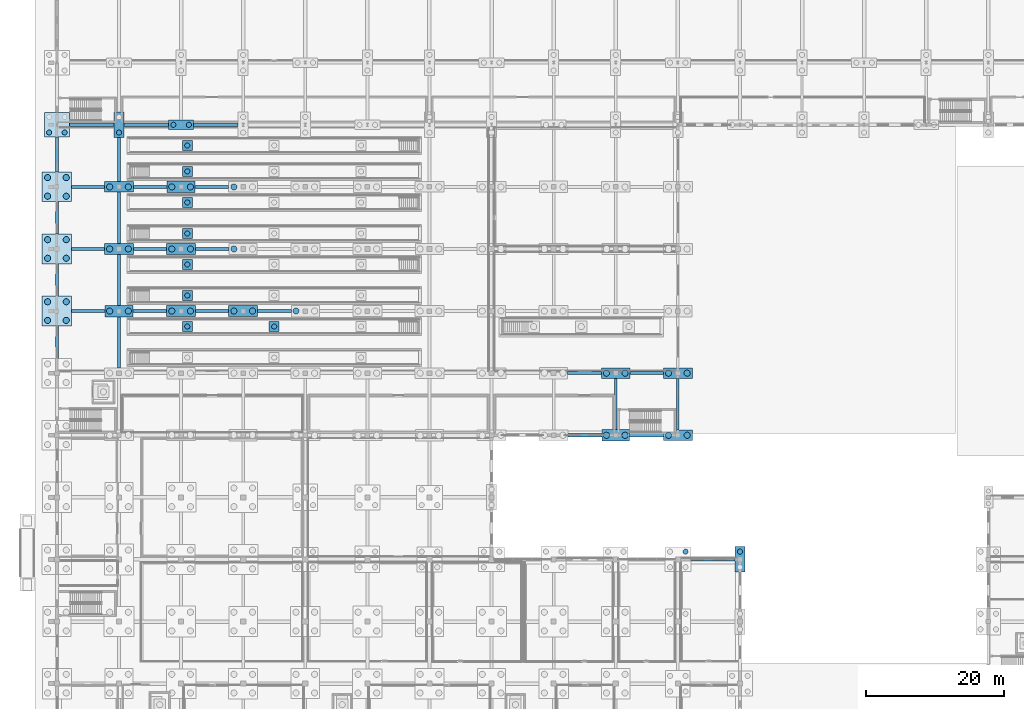
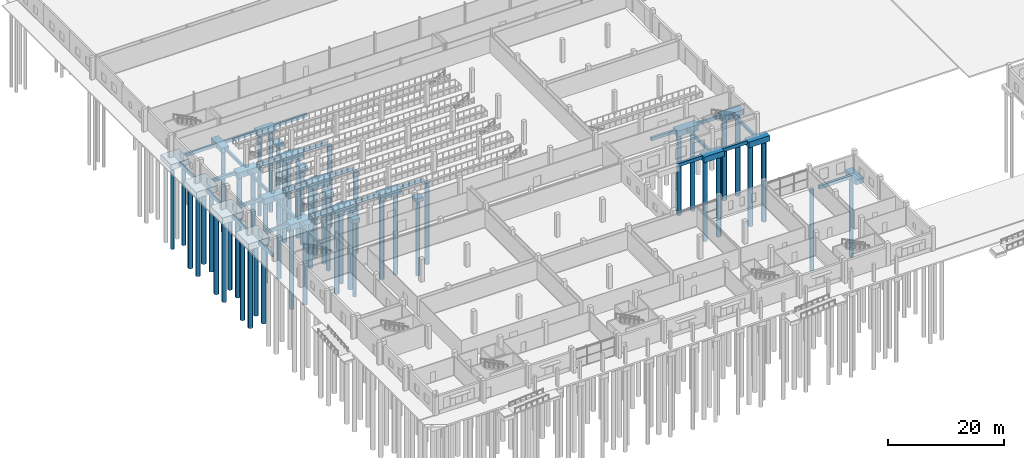
# One storey, part 6 of 112: 54 footings, 52 piles.
"""IFC4 building model written with IfcOpenShell, lengths in metres."""

from ifc_helpers import new_model, si_unit, direction, frame, origin, origin_2d, place, context, subcontext, project, spatial, polyline, rectangle, circle, outline, extrude, material, material_profile, profile_set, type_object, element, save


model = new_model("IFC4")

# Units and contexts
model_context = context("Model", 3, precision=1e-05, world=origin(), true_north=direction((0.0, 1.0)))
body_context = subcontext(model_context, "Body", "Model", "MODEL_VIEW")
ifc_project = project(units=[si_unit("LENGTHUNIT", "METRE"), si_unit("AREAUNIT", "SQUARE_METRE"), si_unit("VOLUMEUNIT", "CUBIC_METRE"), si_unit("PLANEANGLEUNIT", "RADIAN"), si_unit("MASSUNIT", "GRAM", prefix="KILO")], contexts=[model_context])

# Site, building, storey
site_placement = place(None, origin())
site = spatial("IfcSite", under=ifc_project, at=site_placement, CompositionType="ELEMENT")
building_placement = place(site_placement, origin())
building = spatial("IfcBuilding", under=site, at=building_placement, Name="Tharagai Park Tramway Depot", CompositionType="ELEMENT")
storey_placement = place(building_placement, origin())
storey = spatial("IfcBuildingStorey", under=building, at=storey_placement, Name="L00", CompositionType="ELEMENT", Elevation=0.0)

# Piles
ifc_material = material(Name="Concrete M40", Category="concrete")
ifc_material_profile_1 = material_profile(ifc_material, circle(Radius=0.449951171875, at=origin_2d()), Name="PILE D900")
ifc_profile_set_1 = profile_set([ifc_material_profile_1], Name="Concrete M40")
pile_type_1 = type_object("IfcPileType", Name="BP-01", PredefinedType="BORED", material=ifc_profile_set_1)
for number, where, z_axis, x_axis, name in (
    (1, (-1.35009765625, 61.64990234375, -1.550048828125), (0.0, 0.0, -1.0), (1.0, 0.0, 0.0), "Bored Pile BP-01 (0,63) #1"),
    (2, (1.35009765625, 61.64990234375, -1.550048828125), (0.0, 0.0, -1.0), (1.0, 0.0, 0.0), "Bored Pile BP-01 (0,63) #2"),
    (3, (-1.35009765625, 64.35009765625, -1.550048828125), (0.0, 0.0, -1.0), (1.0, 0.0, 0.0), "Bored Pile BP-01 (0,63) #3"),
    (4, (1.35009765625, 64.35009765625, -1.550048828125), (0.0, 0.0, -1.0), (1.0, 0.0, 0.0), "Bored Pile BP-01 (0,63) #4"),
    (5, (-1.35009765625, 70.64990234375, -1.550048828125), (0.0, 0.0, -1.0), (1.0, 0.0, 0.0), "Bored Pile BP-01 (0,72) #1"),
    (6, (1.35009765625, 70.64990234375, -1.550048828125), (0.0, 0.0, -1.0), (1.0, 0.0, 0.0), "Bored Pile BP-01 (0,72) #2"),
    (7, (-1.35009765625, 73.35009765625, -1.550048828125), (0.0, 0.0, -1.0), (1.0, 0.0, 0.0), "Bored Pile BP-01 (0,72) #3"),
    (8, (1.35009765625, 73.35009765625, -1.550048828125), (0.0, 0.0, -1.0), (1.0, 0.0, 0.0), "Bored Pile BP-01 (0,72) #4"),
    (9, (-1.35009765625, 79.64990234375, -1.550048828125), (0.0, 0.0, -1.0), (1.0, 0.0, 0.0), "Bored Pile BP-01 (0,81) #1"),
    (10, (1.35009765625, 79.64990234375, -1.550048828125), (0.0, 0.0, -1.0), (1.0, 0.0, 0.0), "Bored Pile BP-01 (0,81) #2"),
    (11, (-1.35009765625, 82.35009765625, -1.550048828125), (0.0, 0.0, -1.0), (1.0, 0.0, 0.0), "Bored Pile BP-01 (0,81) #3"),
    (12, (1.35009765625, 82.35009765625, -1.550048828125), (0.0, 0.0, -1.0), (1.0, 0.0, 0.0), "Bored Pile BP-01 (0,81) #4"),
):
    element("IfcPile", number, at=place(storey_placement, frame(where, z_axis=z_axis, x_axis=x_axis)), inside=storey, type_object=pile_type_1, Name=name, PredefinedType="BORED", context=body_context, shape_type="SweptSolid", body=[
        extrude(circle(Radius=0.449951171875, at=origin_2d()), origin(), (0.0, 0.0, 1.0), 16.949951171875),
    ])
for number, where, z_axis, x_axis, name in (
    (13, (7.64990234375, 63.0, -1.3798828125), (0.0, 0.0, -1.0), (1.0, 0.0, 0.0), "Bored Pile BP-01 (9,63) #1"),
    (14, (10.35009765625, 63.0, -1.3798828125), (0.0, 0.0, -1.0), (1.0, 0.0, 0.0), "Bored Pile BP-01 (9,63) #2"),
):
    element("IfcPile", number, at=place(storey_placement, frame(where, z_axis=z_axis, x_axis=x_axis)), inside=storey, type_object=pile_type_1, Name=name, PredefinedType="BORED", context=body_context, shape_type="SweptSolid", body=[
        extrude(circle(Radius=0.449951171875, at=origin_2d()), origin(), (0.0, 0.0, 1.0), 17.1201171875),
    ])
for number, where, z_axis, x_axis, name in (
    (15, (7.64990234375, 72.0, -1.39990234375), (0.0, 0.0, -1.0), (1.0, 0.0, 0.0), "Bored Pile BP-01 (9,72) #1"),
    (16, (10.35009765625, 72.0, -1.39990234375), (0.0, 0.0, -1.0), (1.0, 0.0, 0.0), "Bored Pile BP-01 (9,72) #2"),
    (17, (7.64990234375, 81.0, -1.39990234375), (0.0, 0.0, -1.0), (1.0, 0.0, 0.0), "Bored Pile BP-01 (9,81) #1"),
    (18, (10.35009765625, 81.0, -1.39990234375), (0.0, 0.0, -1.0), (1.0, 0.0, 0.0), "Bored Pile BP-01 (9,81) #2"),
    (19, (16.64990234375, 63.0, -1.39990234375), (0.0, 0.0, -1.0), (1.0, 0.0, 0.0), "Bored Pile BP-01 (18,63) #1"),
    (20, (19.35009765625, 63.0, -1.39990234375), (0.0, 0.0, -1.0), (1.0, 0.0, 0.0), "Bored Pile BP-01 (18,63) #2"),
    (21, (16.64990234375, 72.0, -1.39990234375), (0.0, 0.0, -1.0), (1.0, 0.0, 0.0), "Bored Pile BP-01 (18,72) #1"),
    (22, (19.35009765625, 72.0, -1.39990234375), (0.0, 0.0, -1.0), (1.0, 0.0, 0.0), "Bored Pile BP-01 (18,72) #2"),
):
    element("IfcPile", number, at=place(storey_placement, frame(where, z_axis=z_axis, x_axis=x_axis)), inside=storey, type_object=pile_type_1, Name=name, PredefinedType="BORED", context=body_context, shape_type="SweptSolid", body=[
        extrude(circle(Radius=0.449951171875, at=origin_2d()), origin(), (0.0, 0.0, 1.0), 17.10009765625),
    ])
for number, where, z_axis, x_axis, name in (
    (23, (16.64990234375, 81.0, -1.3798828125), (0.0, 0.0, -1.0), (1.0, 0.0, 0.0), "Bored Pile BP-01 (18,81) #1"),
    (24, (19.35009765625, 81.0, -1.3798828125), (0.0, 0.0, -1.0), (1.0, 0.0, 0.0), "Bored Pile BP-01 (18,81) #2"),
):
    element("IfcPile", number, at=place(storey_placement, frame(where, z_axis=z_axis, x_axis=x_axis)), inside=storey, type_object=pile_type_1, Name=name, PredefinedType="BORED", context=body_context, shape_type="SweptSolid", body=[
        extrude(circle(Radius=0.449951171875, at=origin_2d()), origin(), (0.0, 0.0, 1.0), 17.1201171875),
    ])
for number, where, z_axis, x_axis, name in (
    (25, (25.64990234375, 63.0, -1.39990234375), (0.0, 0.0, -1.0), (1.0, 0.0, 0.0), "Bored Pile BP-01 (27,63) #1"),
    (26, (28.35009765625, 63.0, -1.39990234375), (0.0, 0.0, -1.0), (1.0, 0.0, 0.0), "Bored Pile BP-01 (27,63) #2"),
):
    element("IfcPile", number, at=place(storey_placement, frame(where, z_axis=z_axis, x_axis=x_axis)), inside=storey, type_object=pile_type_1, Name=name, PredefinedType="BORED", context=body_context, shape_type="SweptSolid", body=[
        extrude(circle(Radius=0.449951171875, at=origin_2d()), origin(), (0.0, 0.0, 1.0), 17.10009765625),
    ])
pile_1_placement = place(storey_placement, frame((25.64990234375, 72.0, -1.3798828125), z_axis=(0.0, 0.0, -1.0), x_axis=(1.0, 0.0, 0.0)))
element("IfcPile", 27, at=pile_1_placement, inside=storey, type_object=pile_type_1, Name="Bored Pile BP-01 (27,72) #1", PredefinedType="BORED", context=body_context, shape_type="SweptSolid", body=[
    extrude(circle(Radius=0.449951171875, at=origin_2d()), origin(), (0.0, 0.0, 1.0), 17.1201171875),
])
pile_2_placement = place(storey_placement, frame((25.64990234375, 81.0, -1.39990234375), z_axis=(0.0, 0.0, -1.0), x_axis=(1.0, 0.0, 0.0)))
element("IfcPile", 28, at=pile_2_placement, inside=storey, type_object=pile_type_1, Name="Bored Pile BP-01 (27,81) #1", PredefinedType="BORED", context=body_context, shape_type="SweptSolid", body=[
    extrude(circle(Radius=0.449951171875, at=origin_2d()), origin(), (0.0, 0.0, 1.0), 17.10009765625),
])
for number, where, z_axis, x_axis, name in (
    (29, (34.64990234375, 63.0, -1.3798828125), (0.0, 0.0, -1.0), (1.0, 0.0, 0.0), "Bored Pile BP-01 (36,63) #1"),
    (30, (79.64990234375, 45.0, -1.3798828125), (0.0, 0.0, -1.0), (1.0, 0.0, 0.0), "Bored Pile BP-01 (81,45) #1"),
    (31, (82.35009765625, 45.0, -1.3798828125), (0.0, 0.0, -1.0), (1.0, 0.0, 0.0), "Bored Pile BP-01 (81,45) #2"),
):
    element("IfcPile", number, at=place(storey_placement, frame(where, z_axis=z_axis, x_axis=x_axis)), inside=storey, type_object=pile_type_1, Name=name, PredefinedType="BORED", context=body_context, shape_type="SweptSolid", body=[
        extrude(circle(Radius=0.449951171875, at=origin_2d()), origin(), (0.0, 0.0, 1.0), 17.1201171875),
    ])
for number, where, z_axis, x_axis, name in (
    (32, (79.64990234375, 54.0, -1.39990234375), (0.0, 0.0, -1.0), (1.0, 0.0, 0.0), "Bored Pile BP-01 (81,54) #1"),
    (33, (82.35009765625, 54.0, -1.39990234375), (0.0, 0.0, -1.0), (1.0, 0.0, 0.0), "Bored Pile BP-01 (81,54) #2"),
    (34, (88.64990234375, 45.0, -1.39990234375), (0.0, 0.0, -1.0), (1.0, 0.0, 0.0), "Bored Pile BP-01 (90,45) #1"),
    (35, (91.35009765625, 45.0, -1.39990234375), (0.0, 0.0, -1.0), (1.0, 0.0, 0.0), "Bored Pile BP-01 (90,45) #2"),
    (36, (88.64990234375, 54.0, -1.39990234375), (0.0, 0.0, -1.0), (1.0, 0.0, 0.0), "Bored Pile BP-01 (90,54) #1"),
    (37, (91.35009765625, 54.0, -1.39990234375), (0.0, 0.0, -1.0), (1.0, 0.0, 0.0), "Bored Pile BP-01 (90,54) #2"),
):
    element("IfcPile", number, at=place(storey_placement, frame(where, z_axis=z_axis, x_axis=x_axis)), inside=storey, type_object=pile_type_1, Name=name, PredefinedType="BORED", context=body_context, shape_type="SweptSolid", body=[
        extrude(circle(Radius=0.449951171875, at=origin_2d()), origin(), (0.0, 0.0, 1.0), 17.10009765625),
    ])
ifc_material_profile_2 = material_profile(ifc_material, circle(Radius=0.375, at=origin_2d()), Name="PILE D750")
ifc_profile_set_2 = profile_set([ifc_material_profile_2], Name="Concrete M40")
pile_type_2 = type_object("IfcPileType", Name="BP-02", PredefinedType="BORED", material=ifc_profile_set_2)
for number, where, z_axis, x_axis, name in (
    (38, (-1.125, 88.875, -1.35009765625), (0.0, 0.0, -1.0), (1.0, 0.0, 0.0), "Bored Pile BP-02 (0,90) #1"),
    (39, (1.125, 88.875, -1.35009765625), (0.0, 0.0, -1.0), (1.0, 0.0, 0.0), "Bored Pile BP-02 (0,90) #2"),
):
    element("IfcPile", number, at=place(storey_placement, frame(where, z_axis=z_axis, x_axis=x_axis)), inside=storey, type_object=pile_type_2, Name=name, PredefinedType="BORED", context=body_context, shape_type="SweptSolid", body=[
        extrude(circle(Radius=0.375, at=origin_2d()), origin(), (0.0, 0.0, 1.0), 17.14990234375),
    ])
pile_3_placement = place(storey_placement, frame((9.0, 88.875, -1.280029296875), z_axis=(0.0, 0.0, -1.0), x_axis=(1.0, 0.0, 0.0)))
element("IfcPile", 40, at=pile_3_placement, inside=storey, type_object=pile_type_2, Name="Bored Pile BP-02 (9,90) #1", PredefinedType="BORED", context=body_context, shape_type="SweptSolid", body=[
    extrude(circle(Radius=0.375, at=origin_2d()), origin(), (0.0, 0.0, 1.0), 17.219970703125),
])
for number, where, z_axis, x_axis, name in (
    (41, (16.875, 90.0, -1.25), (0.0, 0.0, -1.0), (1.0, 0.0, 0.0), "Bored Pile BP-02 (18,90) #1"),
    (42, (19.125, 90.0, -1.25), (0.0, 0.0, -1.0), (1.0, 0.0, 0.0), "Bored Pile BP-02 (18,90) #2"),
):
    element("IfcPile", number, at=place(storey_placement, frame(where, z_axis=z_axis, x_axis=x_axis)), inside=storey, type_object=pile_type_2, Name=name, PredefinedType="BORED", context=body_context, shape_type="SweptSolid", body=[
        extrude(circle(Radius=0.375, at=origin_2d()), origin(), (0.0, 0.0, 1.0), 17.25),
    ])
pile_4_placement = place(storey_placement, frame((91.125, 28.125, -1.39990234375), z_axis=(0.0, 0.0, -1.0), x_axis=(1.0, 0.0, 0.0)))
element("IfcPile", 43, at=pile_4_placement, inside=storey, type_object=pile_type_2, Name="Bored Pile BP-02 (90,27) #4", PredefinedType="BORED", context=body_context, shape_type="SweptSolid", body=[
    extrude(circle(Radius=0.375, at=origin_2d()), origin(), (0.0, 0.0, 1.0), 17.10009765625),
])
pile_5_placement = place(storey_placement, frame((99.0, 28.125, -1.280029296875), z_axis=(0.0, 0.0, -1.0), x_axis=(1.0, 0.0, 0.0)))
element("IfcPile", 44, at=pile_5_placement, inside=storey, type_object=pile_type_2, Name="Bored Pile BP-02 (99,27) #2", PredefinedType="BORED", context=body_context, shape_type="SweptSolid", body=[
    extrude(circle(Radius=0.375, at=origin_2d()), origin(), (0.0, 0.0, 1.0), 17.219970703125),
])
for number, where, z_axis, x_axis, name in (
    (45, (18.89990234375, 60.75, -2.60009765625), (0.0, 0.0, -1.0), (1.0, 0.0, 0.0), "Inspection Pit Track 2 Bored Pile 1"),
    (46, (31.5, 60.75, -2.60009765625), (0.0, 0.0, -1.0), (1.0, 0.0, 0.0), "Inspection Pit Track 2 Bored Pile 2"),
    (47, (18.89990234375, 65.25, -2.60009765625), (0.0, 0.0, -1.0), (1.0, 0.0, 0.0), "Inspection Pit Track 3 Bored Pile 1"),
    (48, (18.89990234375, 69.75, -2.60009765625), (0.0, 0.0, -1.0), (1.0, 0.0, 0.0), "Inspection Pit Track 4 Bored Pile 1"),
    (49, (18.89990234375, 74.25, -2.60009765625), (0.0, 0.0, -1.0), (1.0, 0.0, 0.0), "Inspection Pit Track 5 Bored Pile 1"),
    (50, (18.89990234375, 78.75, -2.60009765625), (0.0, 0.0, -1.0), (1.0, 0.0, 0.0), "Inspection Pit Track 6 Bored Pile 1"),
    (51, (18.89990234375, 83.25, -2.60009765625), (0.0, 0.0, -1.0), (1.0, 0.0, 0.0), "Inspection Pit Track 7 Bored Pile 1"),
    (52, (18.89990234375, 87.0, -2.60009765625), (0.0, 0.0, -1.0), (1.0, 0.0, 0.0), "Inspection Pit Track 8 Bored Pile 1"),
):
    element("IfcPile", number, at=place(storey_placement, frame(where, z_axis=z_axis, x_axis=x_axis)), inside=storey, type_object=pile_type_2, Name=name, PredefinedType="BORED", context=body_context, shape_type="SweptSolid", body=[
        extrude(circle(Radius=0.375, at=origin_2d()), origin(), (0.0, 0.0, 1.0), 15.89990234375),
    ])

# Footings
footing_type_1 = type_object("IfcFootingType", Name="GB-01", PredefinedType="FOOTING_BEAM", material=ifc_material)
footing_1_placement = place(storey_placement, frame((0.0, 0.0, -0.949951171875)))
element("IfcFooting", 53, at=footing_1_placement, inside=storey, type_object=footing_type_1, Name="Ground Tie Beam GB-01", PredefinedType="FOOTING_BEAM", context=body_context, shape_type="SweptSolid", body=[
    extrude(outline(polyline([(74.02490234375, 53.77490234375), (78.89990234375, 53.77490234375), (78.89990234375, 54.22509765625), (74.02490234375, 54.22509765625), (74.02490234375, 53.77490234375)])), origin(), (0.0, 0.0, 1.0), 0.64990234375),
])
footing_2_placement = place(storey_placement, frame((0.0, 0.0, -0.949951171875)))
element("IfcFooting", 54, at=footing_2_placement, inside=storey, type_object=footing_type_1, Name="Ground Tie Beam GB-01", PredefinedType="FOOTING_BEAM", context=body_context, shape_type="SweptSolid", body=[
    extrude(outline(polyline([(83.10009765625, 53.77490234375), (87.89990234375, 53.77490234375), (87.89990234375, 54.22509765625), (83.10009765625, 54.22509765625), (83.10009765625, 53.77490234375)])), origin(), (0.0, 0.0, 1.0), 0.64990234375),
])
footing_3_placement = place(storey_placement, frame((0.0, 0.0, -0.949951171875)))
element("IfcFooting", 55, at=footing_3_placement, inside=storey, type_object=footing_type_1, Name="Ground Tie Beam GB-01", PredefinedType="FOOTING_BEAM", context=body_context, shape_type="SweptSolid", body=[
    extrude(outline(polyline([(2.14990234375, 62.77490234375), (6.97509765625, 62.77490234375), (6.97509765625, 63.22509765625), (2.14990234375, 63.22509765625), (2.14990234375, 62.77490234375)])), origin(), (0.0, 0.0, 1.0), 0.64990234375),
])
footing_4_placement = place(storey_placement, frame((0.0, 0.0, -0.949951171875)))
element("IfcFooting", 56, at=footing_4_placement, inside=storey, type_object=footing_type_1, Name="Ground Tie Beam GB-01", PredefinedType="FOOTING_BEAM", context=body_context, shape_type="SweptSolid", body=[
    extrude(outline(polyline([(11.02490234375, 62.77490234375), (15.89990234375, 62.77490234375), (15.89990234375, 63.22509765625), (11.02490234375, 63.22509765625), (11.02490234375, 62.77490234375)])), origin(), (0.0, 0.0, 1.0), 0.64990234375),
])
footing_5_placement = place(storey_placement, frame((0.0, 0.0, -0.949951171875)))
element("IfcFooting", 57, at=footing_5_placement, inside=storey, type_object=footing_type_1, Name="Ground Tie Beam GB-01", PredefinedType="FOOTING_BEAM", context=body_context, shape_type="SweptSolid", body=[
    extrude(outline(polyline([(20.10009765625, 62.77490234375), (24.89990234375, 62.77490234375), (24.89990234375, 63.22509765625), (20.10009765625, 63.22509765625), (20.10009765625, 62.77490234375)])), origin(), (0.0, 0.0, 1.0), 0.64990234375),
])
footing_6_placement = place(storey_placement, frame((0.0, 0.0, -0.949951171875)))
element("IfcFooting", 58, at=footing_6_placement, inside=storey, type_object=footing_type_1, Name="Ground Tie Beam GB-01", PredefinedType="FOOTING_BEAM", context=body_context, shape_type="SweptSolid", body=[
    extrude(outline(polyline([(29.10009765625, 62.77490234375), (33.97509765625, 62.77490234375), (33.97509765625, 63.22509765625), (29.10009765625, 63.22509765625), (29.10009765625, 62.77490234375)])), origin(), (0.0, 0.0, 1.0), 0.64990234375),
])
footing_7_placement = place(storey_placement, frame((0.0, 0.0, -0.949951171875)))
element("IfcFooting", 59, at=footing_7_placement, inside=storey, type_object=footing_type_1, Name="Ground Tie Beam GB-01", PredefinedType="FOOTING_BEAM", context=body_context, shape_type="SweptSolid", body=[
    extrude(outline(polyline([(2.14990234375, 71.77490234375), (6.89990234375, 71.77490234375), (6.89990234375, 72.22509765625), (2.14990234375, 72.22509765625), (2.14990234375, 71.77490234375)])), origin(), (0.0, 0.0, 1.0), 0.64990234375),
])
footing_8_placement = place(storey_placement, frame((0.0, 0.0, -0.949951171875)))
element("IfcFooting", 60, at=footing_8_placement, inside=storey, type_object=footing_type_1, Name="Ground Tie Beam GB-01", PredefinedType="FOOTING_BEAM", context=body_context, shape_type="SweptSolid", body=[
    extrude(outline(polyline([(11.10009765625, 71.77490234375), (15.89990234375, 71.77490234375), (15.89990234375, 72.22509765625), (11.10009765625, 72.22509765625), (11.10009765625, 71.77490234375)])), origin(), (0.0, 0.0, 1.0), 0.64990234375),
])
footing_9_placement = place(storey_placement, frame((0.0, 0.0, -0.949951171875)))
element("IfcFooting", 61, at=footing_9_placement, inside=storey, type_object=footing_type_1, Name="Ground Tie Beam GB-01", PredefinedType="FOOTING_BEAM", context=body_context, shape_type="SweptSolid", body=[
    extrude(outline(polyline([(20.10009765625, 71.77490234375), (24.97509765625, 71.77490234375), (24.97509765625, 72.22509765625), (20.10009765625, 72.22509765625), (20.10009765625, 71.77490234375)])), origin(), (0.0, 0.0, 1.0), 0.64990234375),
])
footing_10_placement = place(storey_placement, frame((0.0, 0.0, -0.949951171875)))
element("IfcFooting", 62, at=footing_10_placement, inside=storey, type_object=footing_type_1, Name="Ground Tie Beam GB-01", PredefinedType="FOOTING_BEAM", context=body_context, shape_type="SweptSolid", body=[
    extrude(outline(polyline([(2.14990234375, 80.77490234375), (6.89990234375, 80.77490234375), (6.89990234375, 81.22509765625), (2.14990234375, 81.22509765625), (2.14990234375, 80.77490234375)])), origin(), (0.0, 0.0, 1.0), 0.64990234375),
])
footing_11_placement = place(storey_placement, frame((0.0, 0.0, -0.949951171875)))
element("IfcFooting", 63, at=footing_11_placement, inside=storey, type_object=footing_type_1, Name="Ground Tie Beam GB-01", PredefinedType="FOOTING_BEAM", context=body_context, shape_type="SweptSolid", body=[
    extrude(outline(polyline([(11.10009765625, 80.77490234375), (15.97509765625, 80.77490234375), (15.97509765625, 81.22509765625), (11.10009765625, 81.22509765625), (11.10009765625, 80.77490234375)])), origin(), (0.0, 0.0, 1.0), 0.64990234375),
])
footing_12_placement = place(storey_placement, frame((0.0, 0.0, -0.949951171875)))
element("IfcFooting", 64, at=footing_12_placement, inside=storey, type_object=footing_type_1, Name="Ground Tie Beam GB-01", PredefinedType="FOOTING_BEAM", context=body_context, shape_type="SweptSolid", body=[
    extrude(outline(polyline([(20.02490234375, 80.77490234375), (24.89990234375, 80.77490234375), (24.89990234375, 81.22509765625), (20.02490234375, 81.22509765625), (20.02490234375, 80.77490234375)])), origin(), (0.0, 0.0, 1.0), 0.64990234375),
])
footing_13_placement = place(storey_placement, frame((0.0, 0.0, -0.949951171875)))
element("IfcFooting", 65, at=footing_13_placement, inside=storey, type_object=footing_type_1, Name="Ground Tie Beam GB-01", PredefinedType="FOOTING_BEAM", context=body_context, shape_type="SweptSolid", body=[
    extrude(outline(polyline([(1.800048828125, 89.77490234375), (8.27490234375, 89.77490234375), (8.27490234375, 90.22509765625), (1.800048828125, 90.22509765625), (1.800048828125, 89.77490234375)])), origin(), (0.0, 0.0, 1.0), 0.64990234375),
])
footing_14_placement = place(storey_placement, frame((0.0, 0.0, -0.949951171875)))
element("IfcFooting", 66, at=footing_14_placement, inside=storey, type_object=footing_type_1, Name="Ground Tie Beam GB-01", PredefinedType="FOOTING_BEAM", context=body_context, shape_type="SweptSolid", body=[
    extrude(outline(polyline([(9.72509765625, 89.77490234375), (16.199951171875, 89.77490234375), (16.199951171875, 90.22509765625), (9.72509765625, 90.22509765625), (9.72509765625, 89.77490234375)])), origin(), (0.0, 0.0, 1.0), 0.64990234375),
])
footing_15_placement = place(storey_placement, frame((0.0, 0.0, -0.949951171875)))
element("IfcFooting", 67, at=footing_15_placement, inside=storey, type_object=footing_type_1, Name="Ground Tie Beam GB-01", PredefinedType="FOOTING_BEAM", context=body_context, shape_type="SweptSolid", body=[
    extrude(outline(polyline([(19.800048828125, 89.77490234375), (26.27490234375, 89.77490234375), (26.27490234375, 90.22509765625), (19.800048828125, 90.22509765625), (19.800048828125, 89.77490234375)])), origin(), (0.0, 0.0, 1.0), 0.64990234375),
])
footing_type_2 = type_object("IfcFootingType", Name="GB-02", PredefinedType="FOOTING_BEAM", material=ifc_material)
footing_16_placement = place(storey_placement, frame((0.0, 0.0, -1.0)))
element("IfcFooting", 68, at=footing_16_placement, inside=storey, type_object=footing_type_2, Name="Ground Tie Beam GB-02", PredefinedType="FOOTING_BEAM", context=body_context, shape_type="SweptSolid", body=[
    extrude(outline(polyline([(91.875, 26.75), (98.27490234375, 26.75), (98.27490234375, 27.25), (91.875, 27.25), (91.875, 26.75)])), origin(), (0.0, 0.0, 1.0), 0.699951171875),
])
footing_17_placement = place(storey_placement, frame((0.0, 0.0, -1.0)))
element("IfcFooting", 69, at=footing_17_placement, inside=storey, type_object=footing_type_2, Name="Ground Tie Beam GB-02", PredefinedType="FOOTING_BEAM", context=body_context, shape_type="SweptSolid", body=[
    extrude(outline(polyline([(74.10009765625, 44.75), (78.97509765625, 44.75), (78.97509765625, 45.25), (74.10009765625, 45.25), (74.10009765625, 44.75)])), origin(), (0.0, 0.0, 1.0), 0.699951171875),
])
footing_18_placement = place(storey_placement, frame((0.0, 0.0, -1.0)))
element("IfcFooting", 70, at=footing_18_placement, inside=storey, type_object=footing_type_2, Name="Ground Tie Beam GB-02", PredefinedType="FOOTING_BEAM", context=body_context, shape_type="SweptSolid", body=[
    extrude(outline(polyline([(83.02490234375, 44.75), (87.89990234375, 44.75), (87.89990234375, 45.25), (83.02490234375, 45.25), (83.02490234375, 44.75)])), origin(), (0.0, 0.0, 1.0), 0.699951171875),
])
footing_type_3 = type_object("IfcFootingType", Name="GB-04", PredefinedType="FOOTING_BEAM", material=ifc_material)
footing_19_placement = place(storey_placement, frame((0.0, 0.0, -0.89990234375)))
element("IfcFooting", 71, at=footing_19_placement, inside=storey, type_object=footing_type_3, Name="Ground Tie Beam GB-04", PredefinedType="FOOTING_BEAM", context=body_context, shape_type="SweptSolid", body=[
    extrude(outline(polyline([(-0.199951171875, 56.14990234375), (0.199951171875, 56.14990234375), (0.199951171875, 60.85009765625), (-0.199951171875, 60.85009765625), (-0.199951171875, 56.14990234375)])), origin(), (0.0, 0.0, 1.0), 0.599853515625),
])
footing_20_placement = place(storey_placement, frame((0.0, 0.0, -0.89990234375)))
element("IfcFooting", 72, at=footing_20_placement, inside=storey, type_object=footing_type_3, Name="Ground Tie Beam GB-04", PredefinedType="FOOTING_BEAM", context=body_context, shape_type="SweptSolid", body=[
    extrude(outline(polyline([(-0.199951171875, 65.14990234375), (0.199951171875, 65.14990234375), (0.199951171875, 69.85009765625), (-0.199951171875, 69.85009765625), (-0.199951171875, 65.14990234375)])), origin(), (0.0, 0.0, 1.0), 0.599853515625),
])
footing_21_placement = place(storey_placement, frame((0.0, 0.0, -0.89990234375)))
element("IfcFooting", 73, at=footing_21_placement, inside=storey, type_object=footing_type_3, Name="Ground Tie Beam GB-04", PredefinedType="FOOTING_BEAM", context=body_context, shape_type="SweptSolid", body=[
    extrude(outline(polyline([(-0.199951171875, 74.14990234375), (0.199951171875, 74.14990234375), (0.199951171875, 78.85009765625), (-0.199951171875, 78.85009765625), (-0.199951171875, 74.14990234375)])), origin(), (0.0, 0.0, 1.0), 0.599853515625),
])
footing_22_placement = place(storey_placement, frame((0.0, 0.0, -0.89990234375)))
element("IfcFooting", 74, at=footing_22_placement, inside=storey, type_object=footing_type_3, Name="Ground Tie Beam GB-04", PredefinedType="FOOTING_BEAM", context=body_context, shape_type="SweptSolid", body=[
    extrude(outline(polyline([(-0.199951171875, 83.14990234375), (0.199951171875, 83.14990234375), (0.199951171875, 88.199951171875), (-0.199951171875, 88.199951171875), (-0.199951171875, 83.14990234375)])), origin(), (0.0, 0.0, 1.0), 0.599853515625),
])
footing_23_placement = place(storey_placement, frame((0.0, 0.0, -0.89990234375)))
element("IfcFooting", 75, at=footing_23_placement, inside=storey, type_object=footing_type_3, Name="Ground Tie Beam GB-04", PredefinedType="FOOTING_BEAM", context=body_context, shape_type="SweptSolid", body=[
    extrude(outline(polyline([(8.800048828125, 54.77490234375), (9.199951171875, 54.77490234375), (9.199951171875, 62.175048828125), (8.800048828125, 62.175048828125), (8.800048828125, 54.77490234375)])), origin(), (0.0, 0.0, 1.0), 0.599853515625),
])
footing_24_placement = place(storey_placement, frame((0.0, 0.0, -0.89990234375)))
element("IfcFooting", 76, at=footing_24_placement, inside=storey, type_object=footing_type_3, Name="Ground Tie Beam GB-04", PredefinedType="FOOTING_BEAM", context=body_context, shape_type="SweptSolid", body=[
    extrude(outline(polyline([(8.800048828125, 63.824951171875), (9.199951171875, 63.824951171875), (9.199951171875, 71.22509765625), (8.800048828125, 71.22509765625), (8.800048828125, 63.824951171875)])), origin(), (0.0, 0.0, 1.0), 0.599853515625),
])
footing_25_placement = place(storey_placement, frame((0.0, 0.0, -0.89990234375)))
element("IfcFooting", 77, at=footing_25_placement, inside=storey, type_object=footing_type_3, Name="Ground Tie Beam GB-04", PredefinedType="FOOTING_BEAM", context=body_context, shape_type="SweptSolid", body=[
    extrude(outline(polyline([(8.800048828125, 72.77490234375), (9.199951171875, 72.77490234375), (9.199951171875, 80.22509765625), (8.800048828125, 80.22509765625), (8.800048828125, 72.77490234375)])), origin(), (0.0, 0.0, 1.0), 0.599853515625),
])
footing_26_placement = place(storey_placement, frame((0.0, 0.0, -0.89990234375)))
element("IfcFooting", 78, at=footing_26_placement, inside=storey, type_object=footing_type_3, Name="Ground Tie Beam GB-04", PredefinedType="FOOTING_BEAM", context=body_context, shape_type="SweptSolid", body=[
    extrude(outline(polyline([(8.800048828125, 81.77490234375), (9.199951171875, 81.77490234375), (9.199951171875, 88.14990234375), (8.800048828125, 88.14990234375), (8.800048828125, 81.77490234375)])), origin(), (0.0, 0.0, 1.0), 0.599853515625),
])
footing_27_placement = place(storey_placement, frame((0.0, 0.0, -0.89990234375)))
element("IfcFooting", 79, at=footing_27_placement, inside=storey, type_object=footing_type_3, Name="Ground Tie Beam GB-04", PredefinedType="FOOTING_BEAM", context=body_context, shape_type="SweptSolid", body=[
    extrude(outline(polyline([(80.800048828125, 45.824951171875), (81.199951171875, 45.824951171875), (81.199951171875, 53.22509765625), (80.800048828125, 53.22509765625), (80.800048828125, 45.824951171875)])), origin(), (0.0, 0.0, 1.0), 0.599853515625),
])
footing_28_placement = place(storey_placement, frame((0.0, 0.0, -0.89990234375)))
element("IfcFooting", 80, at=footing_28_placement, inside=storey, type_object=footing_type_3, Name="Ground Tie Beam GB-04", PredefinedType="FOOTING_BEAM", context=body_context, shape_type="SweptSolid", body=[
    extrude(outline(polyline([(89.800048828125, 45.77490234375), (90.199951171875, 45.77490234375), (90.199951171875, 53.22509765625), (89.800048828125, 53.22509765625), (89.800048828125, 45.77490234375)])), origin(), (0.0, 0.0, 1.0), 0.599853515625),
])
footing_type_4 = type_object("IfcFootingType", Name="PC-03", PredefinedType="PILE_CAP", material=ifc_material)
footing_29_placement = place(storey_placement, frame((0.0, 90.0, -1.449951171875), z_axis=(0.0, 0.0, 1.0), x_axis=(1.0, 0.0, 0.0)))
element("IfcFooting", 81, at=footing_29_placement, inside=storey, type_object=footing_type_4, Name="Pile Cap PC-03 (0,90)", PredefinedType="PILE_CAP", context=body_context, shape_type="SweptSolid", body=[
    extrude(rectangle(XDim=3.60009765625, YDim=3.60009765625, at=origin_2d()), origin(), (0.0, 0.0, 1.0), 1.14990234375),
])
footing_type_5 = type_object("IfcFootingType", Name="PC-05", PredefinedType="PILE_CAP", material=ifc_material)
for number, where, z_axis, x_axis, name in (
    (82, (0.0, 63.0, -1.650146484375), (0.0, 0.0, 1.0), (1.0, 0.0, 0.0), "Pile Cap PC-05 (0,63)"),
    (83, (0.0, 72.0, -1.650146484375), (0.0, 0.0, 1.0), (1.0, 0.0, 0.0), "Pile Cap PC-05 (0,72)"),
    (84, (0.0, 81.0, -1.650146484375), (0.0, 0.0, 1.0), (1.0, 0.0, 0.0), "Pile Cap PC-05 (0,81)"),
):
    element("IfcFooting", number, at=place(storey_placement, frame(where, z_axis=z_axis, x_axis=x_axis)), inside=storey, type_object=footing_type_5, Name=name, PredefinedType="PILE_CAP", context=body_context, shape_type="SweptSolid", body=[
        extrude(rectangle(XDim=4.300048828125, YDim=4.300048828125, at=origin_2d()), origin(), (0.0, 0.0, 1.0), 1.35009765625),
    ])
footing_type_6 = type_object("IfcFootingType", Name="PC-10", PredefinedType="PILE_CAP", material=ifc_material)
for number, where, z_axis, x_axis, name in (
    (85, (18.89990234375, 60.75, -2.699951171875), (0.0, 0.0, 1.0), (1.0, 0.0, 0.0), "Inspection Pit Track 2 Pile Cap 1"),
    (86, (31.5, 60.75, -2.699951171875), (0.0, 0.0, 1.0), (1.0, 0.0, 0.0), "Inspection Pit Track 2 Pile Cap 2"),
    (87, (18.89990234375, 65.25, -2.699951171875), (0.0, 0.0, 1.0), (1.0, 0.0, 0.0), "Inspection Pit Track 3 Pile Cap 1"),
    (88, (18.89990234375, 69.75, -2.699951171875), (0.0, 0.0, 1.0), (1.0, 0.0, 0.0), "Inspection Pit Track 4 Pile Cap 1"),
    (89, (18.89990234375, 74.25, -2.699951171875), (0.0, 0.0, 1.0), (1.0, 0.0, 0.0), "Inspection Pit Track 5 Pile Cap 1"),
    (90, (18.89990234375, 78.75, -2.699951171875), (0.0, 0.0, 1.0), (1.0, 0.0, 0.0), "Inspection Pit Track 6 Pile Cap 1"),
    (91, (18.89990234375, 83.25, -2.699951171875), (0.0, 0.0, 1.0), (1.0, 0.0, 0.0), "Inspection Pit Track 7 Pile Cap 1"),
    (92, (18.89990234375, 87.0, -2.699951171875), (0.0, 0.0, 1.0), (1.0, 0.0, 0.0), "Inspection Pit Track 8 Pile Cap 1"),
):
    element("IfcFooting", number, at=place(storey_placement, frame(where, z_axis=z_axis, x_axis=x_axis)), inside=storey, type_object=footing_type_6, Name=name, PredefinedType="PILE_CAP", context=body_context, shape_type="SweptSolid", body=[
        extrude(rectangle(XDim=1.449951171875, YDim=1.449951171875, at=origin_2d()), origin(), (0.0, 0.0, 1.0), 0.85009765625),
    ])
footing_type_7 = type_object("IfcFootingType", Name="PC-11", PredefinedType="PILE_CAP", material=ifc_material)
footing_30_placement = place(storey_placement, frame((18.0, 90.0, -1.35009765625), z_axis=(0.0, 0.0, 1.0), x_axis=(1.0, 0.0, 0.0)))
element("IfcFooting", 93, at=footing_30_placement, inside=storey, type_object=footing_type_7, Name="Pile Cap PC-11 (18,90)", PredefinedType="PILE_CAP", context=body_context, shape_type="SweptSolid", body=[
    extrude(rectangle(XDim=3.60009765625, YDim=1.39990234375, at=origin_2d()), origin(), (0.0, 0.0, 1.0), 1.050048828125),
])
footing_type_8 = type_object("IfcFootingType", Name="PC-13", PredefinedType="PILE_CAP", material=ifc_material)
for number, where, z_axis, x_axis, name in (
    (94, (9.0, 63.0, -1.47998046875), (0.0, 0.0, 1.0), (1.0, 0.0, 0.0), "Pile Cap PC-13 (9,63)"),
    (95, (18.0, 81.0, -1.47998046875), (0.0, 0.0, 1.0), (1.0, 0.0, 0.0), "Pile Cap PC-13 (18,81)"),
    (96, (81.0, 45.0, -1.47998046875), (0.0, 0.0, 1.0), (1.0, 0.0, 0.0), "Pile Cap PC-13 (81,45)"),
):
    element("IfcFooting", number, at=place(storey_placement, frame(where, z_axis=z_axis, x_axis=x_axis)), inside=storey, type_object=footing_type_8, Name=name, PredefinedType="PILE_CAP", context=body_context, shape_type="SweptSolid", body=[
        extrude(rectangle(XDim=4.050048828125, YDim=1.64990234375, at=origin_2d()), origin(), (0.0, 0.0, 1.0), 1.179931640625),
    ])
footing_type_9 = type_object("IfcFootingType", Name="PC-14", PredefinedType="PILE_CAP", material=ifc_material)
for number, where, z_axis, x_axis, name in (
    (97, (9.0, 90.0, -1.380126953125), (0.0, 0.0, 1.0), (1.0, 0.0, 0.0), "Pile Cap PC-14 (9,90)"),
    (98, (99.0, 27.0, -1.380126953125), (0.0, 0.0, 1.0), (1.0, 0.0, 0.0), "Pile Cap PC-14 (99,27)"),
):
    element("IfcFooting", number, at=place(storey_placement, frame(where, z_axis=z_axis, x_axis=x_axis)), inside=storey, type_object=footing_type_9, Name=name, PredefinedType="PILE_CAP", context=body_context, shape_type="SweptSolid", body=[
        extrude(rectangle(XDim=1.449951171875, YDim=3.699951171875, at=origin_2d()), origin(), (0.0, 0.0, 1.0), 1.080078125),
    ])
footing_type_10 = type_object("IfcFootingType", Name="PC-15", PredefinedType="PILE_CAP", material=ifc_material)
for number, where, z_axis, x_axis, name in (
    (99, (9.0, 72.0, -1.5), (0.0, 0.0, 1.0), (1.0, 0.0, 0.0), "Pile Cap PC-15 (9,72)"),
    (100, (9.0, 81.0, -1.5), (0.0, 0.0, 1.0), (1.0, 0.0, 0.0), "Pile Cap PC-15 (9,81)"),
    (101, (18.0, 63.0, -1.5), (0.0, 0.0, 1.0), (1.0, 0.0, 0.0), "Pile Cap PC-15 (18,63)"),
    (102, (18.0, 72.0, -1.5), (0.0, 0.0, 1.0), (1.0, 0.0, 0.0), "Pile Cap PC-15 (18,72)"),
    (103, (27.0, 63.0, -1.5), (0.0, 0.0, 1.0), (1.0, 0.0, 0.0), "Pile Cap PC-15 (27,63)"),
    (104, (81.0, 54.0, -1.5), (0.0, 0.0, 1.0), (1.0, 0.0, 0.0), "Pile Cap PC-15 (81,54)"),
    (105, (90.0, 45.0, -1.5), (0.0, 0.0, 1.0), (1.0, 0.0, 0.0), "Pile Cap PC-15 (90,45)"),
    (106, (90.0, 54.0, -1.5), (0.0, 0.0, 1.0), (1.0, 0.0, 0.0), "Pile Cap PC-15 (90,54)"),
):
    element("IfcFooting", number, at=place(storey_placement, frame(where, z_axis=z_axis, x_axis=x_axis)), inside=storey, type_object=footing_type_10, Name=name, PredefinedType="PILE_CAP", context=body_context, shape_type="SweptSolid", body=[
        extrude(rectangle(XDim=4.199951171875, YDim=1.550048828125, at=origin_2d()), origin(), (0.0, 0.0, 1.0), 1.199951171875),
    ])

save(model, "model.ifc")
